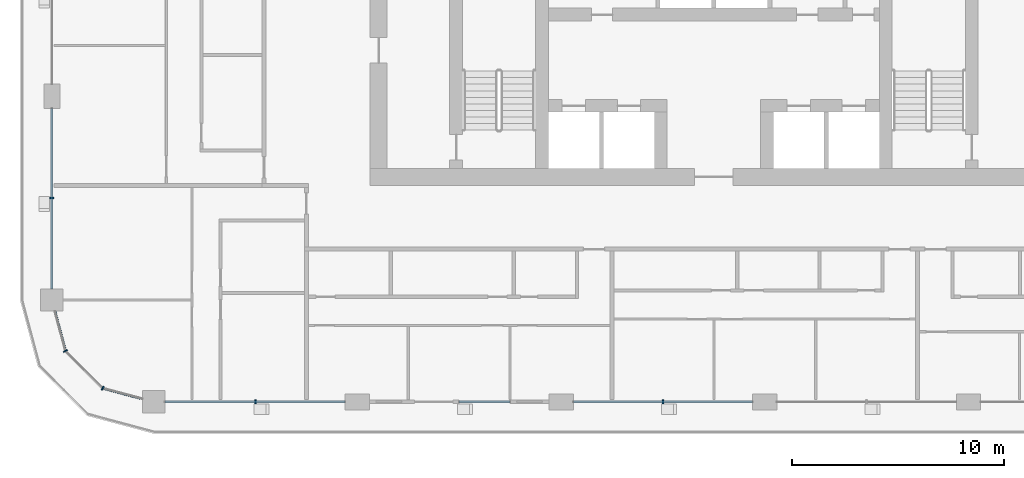
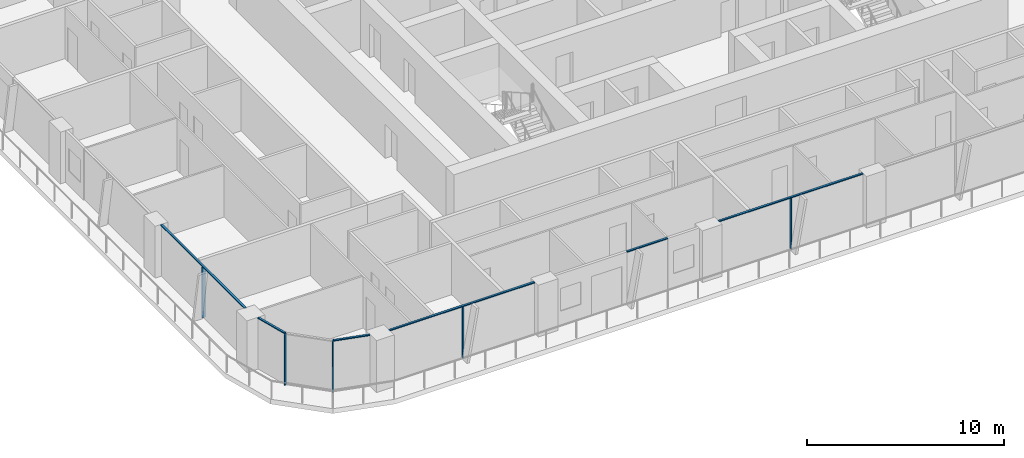
# One storey, part 2 of 22: 11 members, 5 elements without a shape of their own.
"""IFC4 building model written with IfcOpenShell, lengths in metres."""

from ifc_helpers import new_model, si_unit, direction, frame, origin, origin_2d, place, context, subcontext, project, spatial, rectangle, extrude, material, layer, layer_set, material_profile, profile_set, type_object, element, aggregate, save


model = new_model("IFC4")

# Units and contexts
model_context = context("Model", 3, precision=1e-05, world=origin(), true_north=direction((0.0, 1.0)))
body_context = subcontext(model_context, "Body", "Model", "MODEL_VIEW")
ifc_project = project(units=[si_unit("LENGTHUNIT", "METRE"), si_unit("AREAUNIT", "SQUARE_METRE"), si_unit("VOLUMEUNIT", "CUBIC_METRE"), si_unit("PLANEANGLEUNIT", "RADIAN"), si_unit("MASSUNIT", "GRAM", prefix="KILO")], contexts=[model_context])

# Site, building, storey
site_placement = place(None, origin())
site = spatial("IfcSite", under=ifc_project, at=site_placement, CompositionType="ELEMENT")
building_placement = place(site_placement, origin())
building = spatial("IfcBuilding", under=site, at=building_placement, Name="Madar Terraces", CompositionType="ELEMENT")
storey_placement = place(building_placement, frame((0.0, 0.0, 136.60009765625)))
storey = spatial("IfcBuildingStorey", under=building, at=storey_placement, Name="L35", CompositionType="ELEMENT", Elevation=136.60009765625)

# Curtain wall, member
ifc_material_1 = material(Name="Glass, ceramic frit dark grey, with black aluminium frame", Category="aluminium")
ifc_layer = layer(ifc_material_1, 0.199951171875)
ifc_layer_set = layer_set([ifc_layer], Name="Facade curtain wall, fritted glass")
curtain_wall_type = type_object("IfcCurtainWallType", Name="Facade curtain wall, fritted glass", PredefinedType="NOTDEFINED", material=ifc_layer_set)
curtain_wall_1_placement = place(storey_placement, origin())
curtain_wall_1 = element("IfcCurtainWall", 1, at=curtain_wall_1_placement, inside=storey, type_object=curtain_wall_type, Name="Outer skin curtain wall south bay 1", PredefinedType="NOTDEFINED")
ifc_material_2 = material(Name="Aluminium, black anodised", Category="aluminium")
ifc_material_profile_1 = material_profile(ifc_material_2, rectangle(XDim=0.199951171875, YDim=0.06005859375, at=origin_2d()), Name="Facade mullion 60x200")
ifc_profile_set_1 = profile_set([ifc_material_profile_1], Name="Aluminium, black anodised")
member_type_1 = type_object("IfcMemberType", Name="Facade mullion 60x200", PredefinedType="MULLION", material=ifc_profile_set_1)
member_1_placement = place(storey_placement, frame((9.60009765625, 4.800048828125, 0.0), z_axis=(0.0, 0.0, 1.0), x_axis=(0.0, 1.0, 0.0)))
member_1 = element("IfcMember", 2, at=member_1_placement, type_object=member_type_1, Name="Mullion 1", PredefinedType="MULLION", context=body_context, shape_type="SweptSolid", body=[
    extrude(rectangle(XDim=0.199951171875, YDim=0.06005859375, at=origin_2d()), origin(), (0.0, 0.0, 1.0), 3.139892578125),
])

curtain_wall_2_placement = place(storey_placement, origin())
curtain_wall_2 = element("IfcCurtainWall", 3, at=curtain_wall_2_placement, inside=storey, type_object=curtain_wall_type, Name="Outer skin curtain wall south bay 3", PredefinedType="NOTDEFINED")
member_2_placement = place(storey_placement, frame((28.800048828125, 4.800048828125, 0.0), z_axis=(0.0, 0.0, 1.0), x_axis=(0.0, 1.0, 0.0)))
member_2 = element("IfcMember", 4, at=member_2_placement, type_object=member_type_1, Name="Mullion 1", PredefinedType="MULLION", context=body_context, shape_type="SweptSolid", body=[
    extrude(rectangle(XDim=0.199951171875, YDim=0.06005859375, at=origin_2d()), origin(), (0.0, 0.0, 1.0), 3.139892578125),
])

curtain_wall_3_placement = place(storey_placement, origin())
curtain_wall_3 = element("IfcCurtainWall", 5, at=curtain_wall_3_placement, inside=storey, type_object=curtain_wall_type, Name="Outer skin curtain wall west bay 4", PredefinedType="NOTDEFINED")
member_3_placement = place(storey_placement, frame((0.0, 14.39990234375, 0.0), z_axis=(0.0, 0.0, 1.0), x_axis=(1.0, 0.0, 0.0)))
member_3 = element("IfcMember", 6, at=member_3_placement, type_object=member_type_1, Name="Mullion 1", PredefinedType="MULLION", context=body_context, shape_type="SweptSolid", body=[
    extrude(rectangle(XDim=0.199951171875, YDim=0.06005859375, at=origin_2d()), origin(), (0.0, 0.0, 1.0), 3.139892578125),
])

# Curtain wall, members
curtain_wall_4_placement = place(storey_placement, origin())
curtain_wall_4 = element("IfcCurtainWall", 7, at=curtain_wall_4_placement, inside=storey, type_object=curtain_wall_type, Name="Outer skin curtain wall south-west corner", PredefinedType="NOTDEFINED")
member_4_placement = place(storey_placement, frame((0.64306640625, 7.199951171875, 0.0), z_axis=(0.0, 0.0, 1.0), x_axis=(0.866025409797, 0.499999989586, 0.0)))
member_4 = element("IfcMember", 8, at=member_4_placement, type_object=member_type_1, Name="Mullion 1", PredefinedType="MULLION", context=body_context, shape_type="SweptSolid", body=[
    extrude(rectangle(XDim=0.199951171875, YDim=0.06005859375, at=origin_2d()), origin(), (0.0, 0.0, 1.0), 3.139892578125),
])
member_5_placement = place(storey_placement, frame((2.39990234375, 5.443115234375, 0.0), z_axis=(0.0, 0.0, 1.0), x_axis=(0.499999989586, 0.866025409797, 0.0)))
member_5 = element("IfcMember", 9, at=member_5_placement, type_object=member_type_1, Name="Mullion 2", PredefinedType="MULLION", context=body_context, shape_type="SweptSolid", body=[
    extrude(rectangle(XDim=0.199951171875, YDim=0.06005859375, at=origin_2d()), origin(), (0.0, 0.0, 1.0), 3.139892578125),
])

# Member
ifc_material_3 = material(Name="Aluminium, black anodised", Category="aluminium")
ifc_material_profile_2 = material_profile(ifc_material_3, rectangle(XDim=0.1201171875, YDim=0.06005859375, at=origin_2d()), Name="Facade transom 60x120")
ifc_profile_set_2 = profile_set([ifc_material_profile_2], Name="Aluminium, black anodised")
member_type_2 = type_object("IfcMemberType", Name="Facade transom 60x120", PredefinedType="USERDEFINED", material=ifc_profile_set_2)
member_6_placement = place(storey_placement, frame((5.324951171875, 4.800048828125, 3.169921875), z_axis=(1.0, 0.0, 0.0), x_axis=(0.0, 1.0, 0.0)))
member_6 = element("IfcMember", 10, at=member_6_placement, type_object=member_type_2, Name="Transom 1", ObjectType="TRANSOM", PredefinedType="USERDEFINED", context=body_context, shape_type="SweptSolid", body=[
    extrude(rectangle(XDim=0.1201171875, YDim=0.06005859375, at=origin_2d()), origin(), (0.0, 0.0, 1.0), 8.5),
])

aggregate(curtain_wall_1, [member_1, member_6])

# Curtain wall, member
curtain_wall_5_placement = place(storey_placement, origin())
curtain_wall_5 = element("IfcCurtainWall", 11, at=curtain_wall_5_placement, inside=storey, type_object=curtain_wall_type, Name="Outer skin curtain wall south bay 2", PredefinedType="NOTDEFINED")
member_7_placement = place(storey_placement, frame((19.199951171875, 4.800048828125, 3.169921875), z_axis=(1.0, 0.0, 0.0), x_axis=(0.0, 1.0, 0.0)))
member_7 = element("IfcMember", 12, at=member_7_placement, type_object=member_type_2, Name="Transom 1", ObjectType="TRANSOM", PredefinedType="USERDEFINED", context=body_context, shape_type="SweptSolid", body=[
    extrude(rectangle(XDim=0.1201171875, YDim=0.06005859375, at=origin_2d()), origin(), (0.0, 0.0, 1.0), 2.400146484375),
])
aggregate(curtain_wall_5, [member_7])

# Member
member_8_placement = place(storey_placement, frame((24.574951171875, 4.800048828125, 3.169921875), z_axis=(1.0, 0.0, 0.0), x_axis=(0.0, 1.0, 0.0)))
member_8 = element("IfcMember", 13, at=member_8_placement, type_object=member_type_2, Name="Transom 1", ObjectType="TRANSOM", PredefinedType="USERDEFINED", context=body_context, shape_type="SweptSolid", body=[
    extrude(rectangle(XDim=0.1201171875, YDim=0.06005859375, at=origin_2d()), origin(), (0.0, 0.0, 1.0), 8.449951171875),
])

aggregate(curtain_wall_2, [member_2, member_8])

member_9_placement = place(storey_placement, frame((0.0, 18.625, 3.169921875), z_axis=(0.0, -1.0, 0.0), x_axis=(1.0, 0.0, 0.0)))
member_9 = element("IfcMember", 14, at=member_9_placement, type_object=member_type_2, Name="Transom 1", ObjectType="TRANSOM", PredefinedType="USERDEFINED", context=body_context, shape_type="SweptSolid", body=[
    extrude(rectangle(XDim=0.1201171875, YDim=0.06005859375, at=origin_2d()), origin(), (0.0, 0.0, 1.0), 8.5),
])

aggregate(curtain_wall_3, [member_3, member_9])

member_10_placement = place(storey_placement, frame((0.140625, 9.074951171875, 3.169921875), z_axis=(0.258823354654, -0.965924671538, 0.0), x_axis=(0.965924671538, 0.258823354654, 0.0)))
member_10 = element("IfcMember", 15, at=member_10_placement, type_object=member_type_2, Name="Transom 1", ObjectType="TRANSOM", PredefinedType="USERDEFINED", context=body_context, shape_type="SweptSolid", body=[
    extrude(rectangle(XDim=0.1201171875, YDim=0.06005859375, at=origin_2d()), origin(), (0.0, 0.0, 1.0), 1.9111328125),
])

member_11_placement = place(storey_placement, frame((2.428955078125, 5.435302734375, 3.169921875), z_axis=(0.965924671538, -0.258823354654, 0.0), x_axis=(0.258823354654, 0.965924671538, 0.0)))
member_11 = element("IfcMember", 16, at=member_11_placement, type_object=member_type_2, Name="Transom 3", ObjectType="TRANSOM", PredefinedType="USERDEFINED", context=body_context, shape_type="SweptSolid", body=[
    extrude(rectangle(XDim=0.1201171875, YDim=0.06005859375, at=origin_2d()), origin(), (0.0, 0.0, 1.0), 1.9111328125),
])

aggregate(curtain_wall_4, [member_4, member_10, member_5, member_11])

save(model, "model.ifc")
